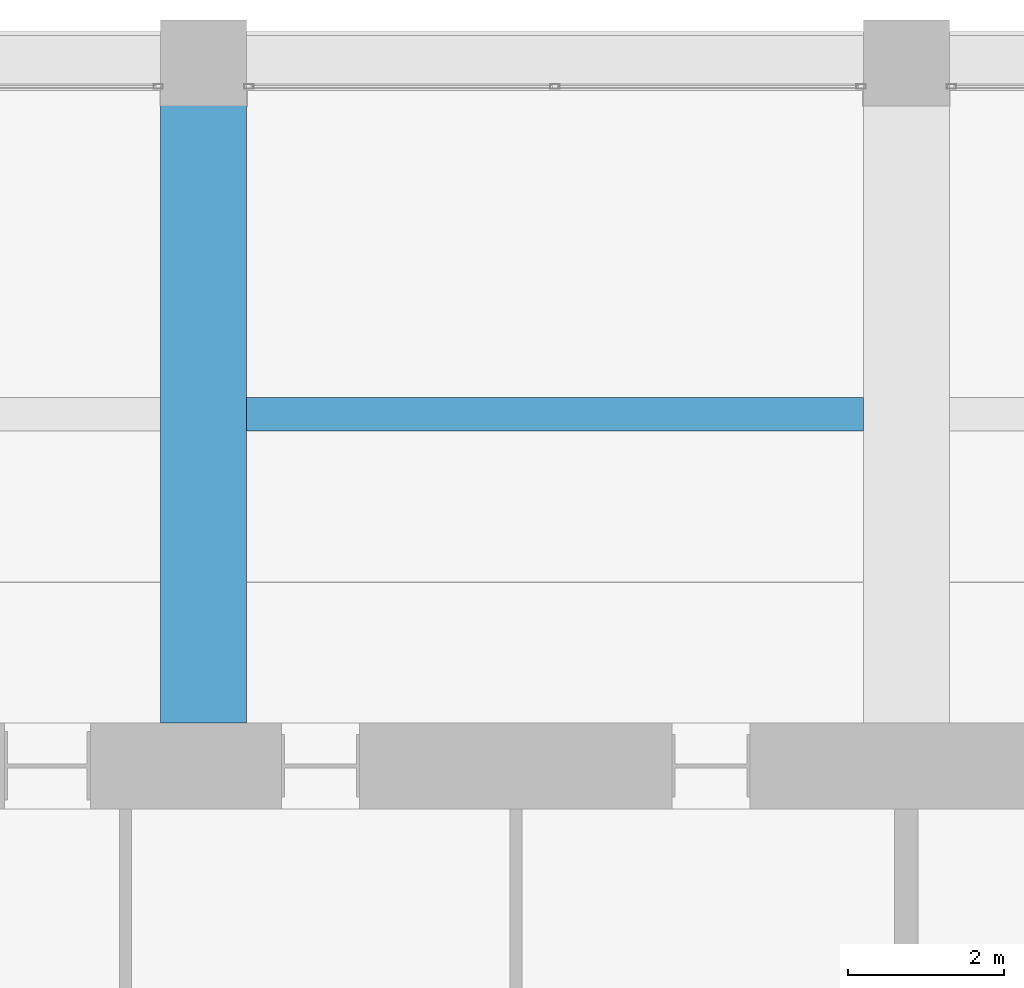
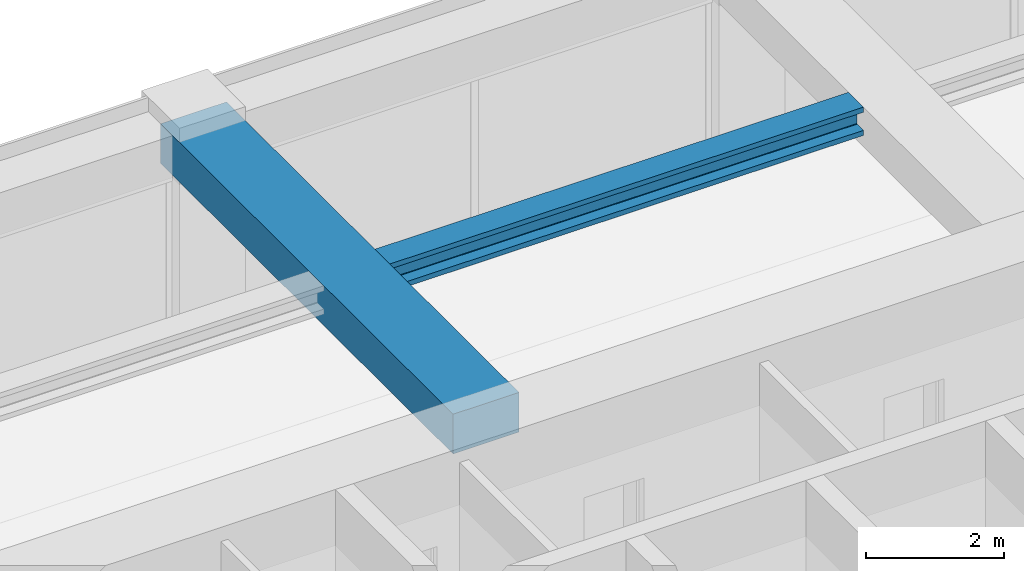
# One storey, part 32 of 45: 2 beams.
"""IFC4 building model written with IfcOpenShell, lengths in metres."""

from ifc_helpers import new_model, si_unit, direction, frame, origin, origin_2d, place, context, subcontext, project, spatial, rectangle, i_section, extrude, material, material_profile, profile_set, type_object, element, save


model = new_model("IFC4")

# Units and contexts
model_context = context("Model", 3, precision=1e-05, world=origin(), true_north=direction((0.0, 1.0)))
body_context = subcontext(model_context, "Body", "Model", "MODEL_VIEW")
ifc_project = project(units=[si_unit("LENGTHUNIT", "METRE"), si_unit("AREAUNIT", "SQUARE_METRE"), si_unit("VOLUMEUNIT", "CUBIC_METRE"), si_unit("PLANEANGLEUNIT", "RADIAN"), si_unit("MASSUNIT", "GRAM", prefix="KILO")], contexts=[model_context])

# Site, building, storey
site_placement = place(None, origin())
site = spatial("IfcSite", under=ifc_project, at=site_placement, CompositionType="ELEMENT")
building_placement = place(site_placement, origin())
building = spatial("IfcBuilding", under=site, at=building_placement, Name="Zorevar Civic Tower", CompositionType="ELEMENT")
storey_placement = place(building_placement, frame((0.0, 0.0, 303.39990234375)))
storey = spatial("IfcBuildingStorey", under=building, at=storey_placement, Name="L74", CompositionType="ELEMENT", Elevation=303.39990234375)

# Beams
ifc_material_1 = material(Name="Concrete C50/60", Category="concrete")
ifc_material_profile_1 = material_profile(ifc_material_1, rectangle(XDim=1.10009765625, YDim=0.699951171875, at=origin_2d()), Name="RC 1100x700")
ifc_profile_set_1 = profile_set([ifc_material_profile_1], Name="Concrete C50/60")
beam_type_1 = type_object("IfcBeamType", Name="Beam RC 1100x700", PredefinedType="BEAM", material=ifc_profile_set_1)
beam_1_placement = place(storey_placement, frame((27.0, 36.550048828125, 3.400146484375), z_axis=(0.0, 1.0, 0.0), x_axis=(-1.0, 0.0, 0.0)))
element("IfcBeam", 1, at=beam_1_placement, inside=storey, type_object=beam_type_1, Name="Girder L75", PredefinedType="BEAM", context=body_context, shape_type="SweptSolid", body=[
    extrude(rectangle(XDim=1.10009765625, YDim=0.699951171875, at=origin_2d()), origin(), (0.0, 0.0, 1.0), 8.449951171875),
])
ifc_material_2 = material(Name="Steel S460M (HISTAR 460)", Category="steel")
ifc_material_profile_2 = material_profile(ifc_material_2, i_section(OverallWidth=0.431884765625, OverallDepth=0.498046875, WebThickness=0.0556640625, FlangeThickness=0.0888671875, FilletRadius=0.014892578125, at=origin_2d()), Name="HD 400x744")
ifc_profile_set_2 = profile_set([ifc_material_profile_2], Name="Steel S460M (HISTAR 460)")
beam_type_2 = type_object("IfcBeamType", Name="Core bay beam HD 400x744", PredefinedType="BEAM", material=ifc_profile_set_2)
beam_2_placement = place(storey_placement, frame((27.550048828125, 40.5, 3.5009765625), z_axis=(1.0, 0.0, 0.0), x_axis=(0.0, 1.0, 0.0)))
element("IfcBeam", 2, at=beam_2_placement, inside=storey, type_object=beam_type_2, Name="Secondary beam L75", PredefinedType="BEAM", context=body_context, shape_type="SweptSolid", body=[
    extrude(i_section(OverallWidth=0.431884765625, OverallDepth=0.498046875, WebThickness=0.0556640625, FlangeThickness=0.0888671875, FilletRadius=0.014892578125, at=origin_2d()), origin(), (0.0, 0.0, 1.0), 7.89990234375),
])

save(model, "model.ifc")
